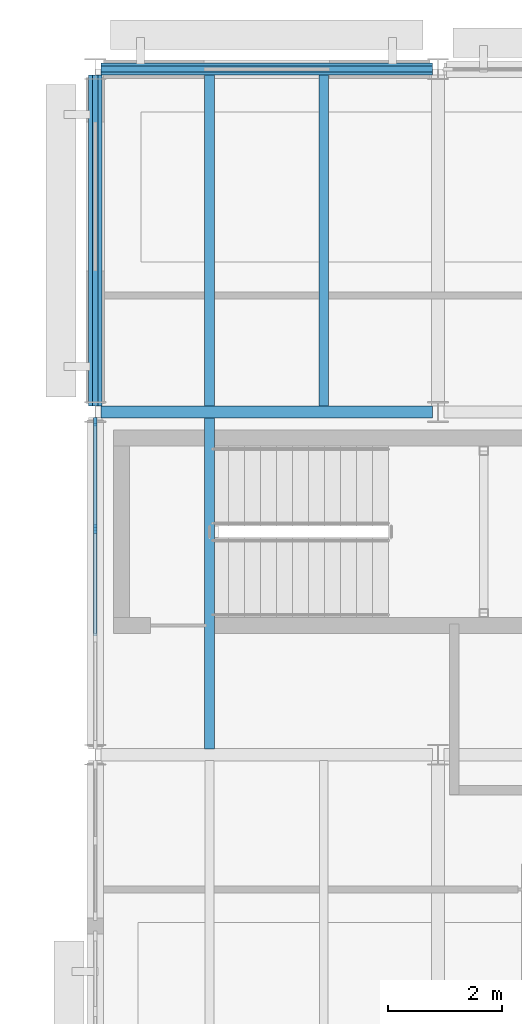
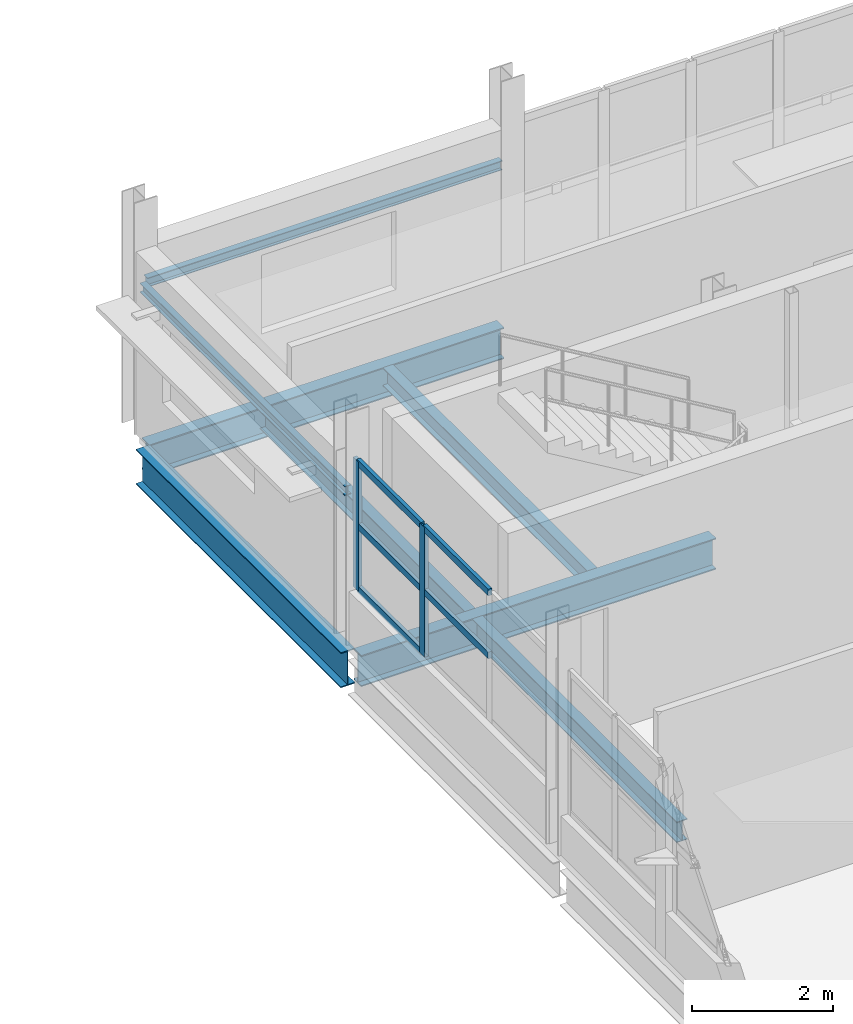
# One storey, part 34 of 92: 8 beams, 7 members, 1 element without a shape of its own.
"""IFC4 building model written with IfcOpenShell, lengths in metres."""

from ifc_helpers import new_model, si_unit, direction, frame, origin, origin_2d, place, context, subcontext, project, spatial, rectangle, i_section, extrude, material, material_profile, profile_set, type_object, element, aggregate, save


model = new_model("IFC4")

# Units and contexts
model_context = context("Model", 3, precision=1e-05, world=origin(), true_north=direction((0.0, 1.0)))
body_context = subcontext(model_context, "Body", "Model", "MODEL_VIEW")
ifc_project = project(units=[si_unit("LENGTHUNIT", "METRE"), si_unit("AREAUNIT", "SQUARE_METRE"), si_unit("VOLUMEUNIT", "CUBIC_METRE"), si_unit("PLANEANGLEUNIT", "RADIAN"), si_unit("MASSUNIT", "GRAM", prefix="KILO")], contexts=[model_context])

# Site, building, storey
site_placement = place(None, origin())
site = spatial("IfcSite", under=ifc_project, at=site_placement, CompositionType="ELEMENT")
building_placement = place(site_placement, origin())
building = spatial("IfcBuilding", under=site, at=building_placement, Name="Siltcreek Boulevard Central Fire Station", CompositionType="ELEMENT")
storey_placement = place(building_placement, frame((0.0, 0.0, 6.0)))
storey = spatial("IfcBuildingStorey", under=building, at=storey_placement, Name="L02", CompositionType="ELEMENT", Elevation=6.0)

# Beams
ifc_material_1 = material(Name="Structural steel ASTM A992 Gr50", Category="steel")
ifc_material_profile_1 = material_profile(ifc_material_1, i_section(OverallWidth=0.2109375, OverallDepth=0.5390625, WebThickness=0.01171875, FlangeThickness=0.018798828125, at=origin_2d()), Name="W530X109")
ifc_profile_set_1 = profile_set([ifc_material_profile_1], Name="Structural steel ASTM A992 Gr50")
beam_type_1 = type_object("IfcBeamType", Name="BM_W530X109", PredefinedType="BEAM", material=ifc_profile_set_1)
for number, where, z_axis, x_axis, name in (
    (1, (124.300048828125, 106.199951171875, -0.589599609375), (1.0, 0.0, 0.0), (0.0, 1.0, 0.0), "L02 primary steel girder GX-0190"),
    (2, (124.300048828125, 112.199951171875, -0.589599609375), (1.0, 0.0, 0.0), (0.0, 1.0, 0.0), "L02 primary steel girder GX-0197"),
):
    element("IfcBeam", number, at=place(storey_placement, frame(where, z_axis=z_axis, x_axis=x_axis)), inside=storey, type_object=beam_type_1, Name=name, PredefinedType="BEAM", context=body_context, shape_type="SweptSolid", body=[
        extrude(i_section(OverallWidth=0.2109375, OverallDepth=0.5390625, WebThickness=0.01171875, FlangeThickness=0.018798828125, at=origin_2d()), origin(), (0.0, 0.0, 1.0), 5.800048828125),
    ])
ifc_material_profile_2 = material_profile(ifc_material_1, i_section(OverallWidth=0.22802734375, OverallDepth=0.60791015625, WebThickness=0.01123046875, FlangeThickness=0.017333984375, at=origin_2d()), Name="W610X113")
ifc_profile_set_2 = profile_set([ifc_material_profile_2], Name="Structural steel ASTM A992 Gr50")
beam_type_2 = type_object("IfcBeamType", Name="BM_W610X113", PredefinedType="BEAM", material=ifc_profile_set_2)
beam_1_placement = place(storey_placement, frame((124.199951171875, 106.300048828125, -0.6240234375), z_axis=(0.0, 1.0, 0.0), x_axis=(-1.0, 0.0, 0.0)))
element("IfcBeam", 3, at=beam_1_placement, inside=storey, type_object=beam_type_2, Name="L02 primary steel girder GY-0207", PredefinedType="BEAM", context=body_context, shape_type="SweptSolid", body=[
    extrude(i_section(OverallWidth=0.22802734375, OverallDepth=0.60791015625, WebThickness=0.01123046875, FlangeThickness=0.017333984375, at=origin_2d()), origin(), (0.0, 0.0, 1.0), 5.800048828125),
])

# Curtain wall, members
ifc_material_2 = material(Name="Anodized aluminum and low-E insulated glazing", Category="aluminium")
curtain_wall_type = type_object("IfcCurtainWallType", Name="CW_SYS_24", PredefinedType="USERDEFINED", material=ifc_material_2)
curtain_wall_placement = place(storey_placement, origin())
curtain_wall = element("IfcCurtainWall", 4, at=curtain_wall_placement, inside=storey, type_object=curtain_wall_type, Name="L02 V5 unitised curtain wall CW-143", ObjectType="CURTAIN WALL", PredefinedType="USERDEFINED")
ifc_material_3 = material(Name="Anodized 6063-T6 aluminum framing", Category="aluminium")
ifc_material_profile_3 = material_profile(ifc_material_3, rectangle(XDim=0.06005859375, YDim=0.14990234375, at=origin_2d()), Name="MULL60X150")
ifc_profile_set_3 = profile_set([ifc_material_profile_3], Name="Anodized 6063-T6 aluminum framing")
member_type_1 = type_object("IfcMemberType", Name="CWM_60X150", PredefinedType="MULLION", material=ifc_profile_set_3)
member_1_placement = place(storey_placement, frame((124.199951171875, 106.02490234375, 0.919921875), z_axis=(0.0, 0.0, 1.0), x_axis=(1.0, 0.0, 0.0)))
member_1 = element("IfcMember", 5, at=member_1_placement, type_object=member_type_1, Name="CW-143 mullion 1", PredefinedType="MULLION", context=body_context, shape_type="SweptSolid", body=[
    extrude(rectangle(XDim=0.06005859375, YDim=0.14990234375, at=origin_2d()), origin(), (0.0, 0.0, 1.0), 2.237060546875),
])
member_2_placement = place(storey_placement, frame((124.199951171875, 104.151611328125, 0.919921875), z_axis=(0.0, 0.0, 1.0), x_axis=(1.0, 0.0, 0.0)))
member_2 = element("IfcMember", 6, at=member_2_placement, type_object=member_type_1, Name="CW-143 mullion 2", PredefinedType="MULLION", context=body_context, shape_type="SweptSolid", body=[
    extrude(rectangle(XDim=0.06005859375, YDim=0.14990234375, at=origin_2d()), origin(), (0.0, 0.0, 1.0), 2.237060546875),
])
ifc_material_profile_4 = material_profile(ifc_material_3, rectangle(XDim=0.06005859375, YDim=0.114990234375, at=origin_2d()), Name="TRAN60X115")
ifc_profile_set_4 = profile_set([ifc_material_profile_4], Name="Anodized 6063-T6 aluminum framing")
member_type_2 = type_object("IfcMemberType", Name="CWT_60X115", PredefinedType="USERDEFINED", material=ifc_profile_set_4)
member_3_placement = place(storey_placement, frame((124.199951171875, 105.9951171875, 0.949951171875), z_axis=(0.0, -1.0, 0.0), x_axis=(1.0, 0.0, 0.0)))
member_3 = element("IfcMember", 7, at=member_3_placement, type_object=member_type_2, Name="CW-143 transom 1.1", ObjectType="TRANSOM", PredefinedType="USERDEFINED", context=body_context, shape_type="SweptSolid", body=[
    extrude(rectangle(XDim=0.06005859375, YDim=0.114990234375, at=origin_2d()), origin(), (0.0, 0.0, 1.0), 1.8134765625),
])
member_4_placement = place(storey_placement, frame((124.199951171875, 105.9951171875, 2.03857421875), z_axis=(0.0, -1.0, 0.0), x_axis=(1.0, 0.0, 0.0)))
member_4 = element("IfcMember", 8, at=member_4_placement, type_object=member_type_2, Name="CW-143 transom 1.2", ObjectType="TRANSOM", PredefinedType="USERDEFINED", context=body_context, shape_type="SweptSolid", body=[
    extrude(rectangle(XDim=0.06005859375, YDim=0.114990234375, at=origin_2d()), origin(), (0.0, 0.0, 1.0), 1.8134765625),
])
member_5_placement = place(storey_placement, frame((124.199951171875, 105.9951171875, 3.126953125), z_axis=(0.0, -1.0, 0.0), x_axis=(1.0, 0.0, 0.0)))
member_5 = element("IfcMember", 9, at=member_5_placement, type_object=member_type_2, Name="CW-143 transom 1.3", ObjectType="TRANSOM", PredefinedType="USERDEFINED", context=body_context, shape_type="SweptSolid", body=[
    extrude(rectangle(XDim=0.06005859375, YDim=0.114990234375, at=origin_2d()), origin(), (0.0, 0.0, 1.0), 1.8134765625),
])
member_6_placement = place(storey_placement, frame((124.199951171875, 104.12158203125, 2.03857421875), z_axis=(0.0, -1.0, 0.0), x_axis=(1.0, 0.0, 0.0)))
member_6 = element("IfcMember", 10, at=member_6_placement, type_object=member_type_2, Name="CW-143 transom 2.2", ObjectType="TRANSOM", PredefinedType="USERDEFINED", context=body_context, shape_type="SweptSolid", body=[
    extrude(rectangle(XDim=0.06005859375, YDim=0.114990234375, at=origin_2d()), origin(), (0.0, 0.0, 1.0), 1.84326171875),
])
member_7_placement = place(storey_placement, frame((124.199951171875, 104.12158203125, 3.126953125), z_axis=(0.0, -1.0, 0.0), x_axis=(1.0, 0.0, 0.0)))
member_7 = element("IfcMember", 11, at=member_7_placement, type_object=member_type_2, Name="CW-143 transom 2.3", ObjectType="TRANSOM", PredefinedType="USERDEFINED", context=body_context, shape_type="SweptSolid", body=[
    extrude(rectangle(XDim=0.06005859375, YDim=0.114990234375, at=origin_2d()), origin(), (0.0, 0.0, 1.0), 1.84326171875),
])
aggregate(curtain_wall, [member_1, member_2, member_3, member_4, member_5, member_6, member_7])

# Beams
ifc_material_profile_5 = material_profile(ifc_material_1, i_section(OverallWidth=0.166015625, OverallDepth=0.31298828125, WebThickness=0.006591796875, FlangeThickness=0.01123046875, at=origin_2d()), Name="W310X45")
ifc_profile_set_5 = profile_set([ifc_material_profile_5], Name="Structural steel ASTM A992 Gr50")
beam_type_3 = type_object("IfcBeamType", Name="JST_W310X45", PredefinedType="JOIST", material=ifc_profile_set_5)
beam_2_placement = place(storey_placement, frame((128.199951171875, 106.303466796875, -0.4765625), z_axis=(0.0, 1.0, 0.0), x_axis=(-1.0, 0.0, 0.0)))
element("IfcBeam", 12, at=beam_2_placement, inside=storey, type_object=beam_type_3, Name="L02 secondary steel floor joist 0180", PredefinedType="JOIST", context=body_context, shape_type="SweptSolid", body=[
    extrude(i_section(OverallWidth=0.166015625, OverallDepth=0.31298828125, WebThickness=0.006591796875, FlangeThickness=0.01123046875, at=origin_2d()), origin(), (0.0, 0.0, 1.0), 5.79296875),
])
ifc_material_profile_6 = material_profile(ifc_material_1, i_section(OverallWidth=0.172119140625, OverallDepth=0.35791015625, WebThickness=0.0078125, FlangeThickness=0.01318359375, at=origin_2d()), Name="W360X57")
ifc_profile_set_6 = profile_set([ifc_material_profile_6], Name="Structural steel ASTM A992 Gr50")
beam_type_4 = type_object("IfcBeamType", Name="JST_W360X57", PredefinedType="JOIST", material=ifc_profile_set_6)
for number, where, z_axis, x_axis, name in (
    (13, (126.199951171875, 100.303466796875, -0.4990234375), (0.0, 1.0, 0.0), (-1.0, 0.0, 0.0), "L02 secondary steel floor joist 0169"),
    (14, (126.199951171875, 106.303466796875, -0.4990234375), (0.0, 1.0, 0.0), (-1.0, 0.0, 0.0), "L02 secondary steel floor joist 0179"),
):
    element("IfcBeam", number, at=place(storey_placement, frame(where, z_axis=z_axis, x_axis=x_axis)), inside=storey, type_object=beam_type_4, Name=name, PredefinedType="JOIST", context=body_context, shape_type="SweptSolid", body=[
        extrude(i_section(OverallWidth=0.172119140625, OverallDepth=0.35791015625, WebThickness=0.0078125, FlangeThickness=0.01318359375, at=origin_2d()), origin(), (0.0, 0.0, 1.0), 5.79296875),
    ])
ifc_material_profile_7 = material_profile(ifc_material_1, i_section(OverallWidth=0.10205078125, OverallDepth=0.159912109375, WebThickness=0.006591796875, FlangeThickness=0.01025390625, at=origin_2d()), Name="W150X24")
ifc_profile_set_7 = profile_set([ifc_material_profile_7], Name="Structural steel ASTM A992 Gr50")
beam_type_5 = type_object("IfcBeamType", Name="LIN_W150X24", PredefinedType="LINTEL", material=ifc_profile_set_7)
for number, where, z_axis, x_axis, name in (
    (15, (130.10009765625, 112.199951171875, 2.449951171875), (-1.0, 0.0, 0.0), (0.0, -1.0, 0.0), "Exterior window steel lintel WLN-46"),
    (16, (124.199951171875, 112.10009765625, 2.449951171875), (0.0, -1.0, 0.0), (1.0, 0.0, 0.0), "Exterior window steel lintel WLN-48"),
):
    element("IfcBeam", number, at=place(storey_placement, frame(where, z_axis=z_axis, x_axis=x_axis)), inside=storey, type_object=beam_type_5, Name=name, PredefinedType="LINTEL", context=body_context, shape_type="SweptSolid", body=[
        extrude(i_section(OverallWidth=0.10205078125, OverallDepth=0.159912109375, WebThickness=0.006591796875, FlangeThickness=0.01025390625, at=origin_2d()), origin(), (0.0, 0.0, 1.0), 5.800048828125),
    ])

save(model, "model.ifc")
